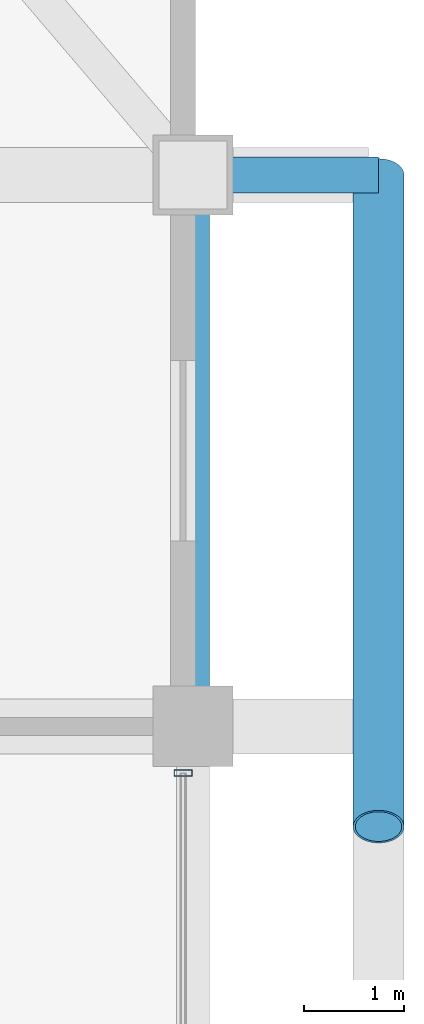
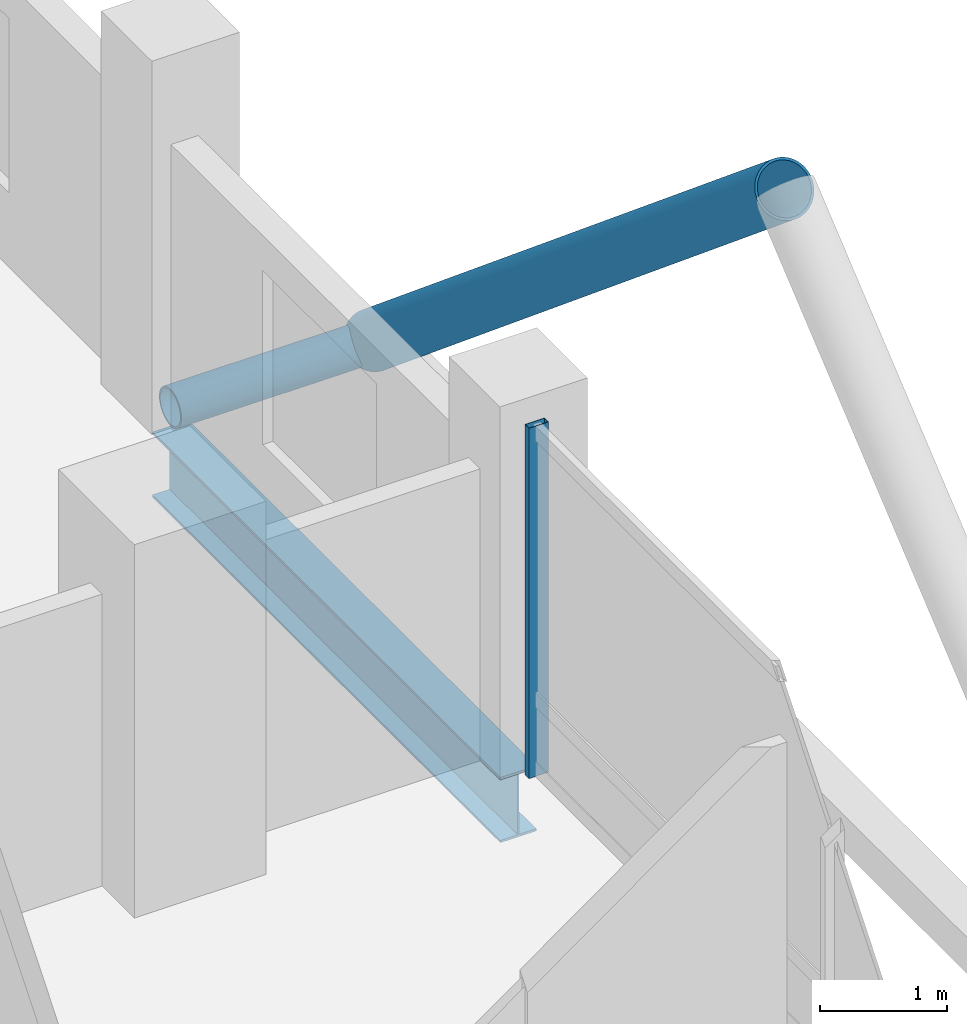
# One storey, part 12 of 21: 3 members, 1 beam, 1 element without a shape of its own.
"""IFC4 building model written with IfcOpenShell, lengths in metres."""

import ifcopenshell
import ifcopenshell.guid

model = None  # the IFC model being written
_history = None  # IfcOwnerHistory: only IFC2X3 demands one
_inside = {}  # id of a spatial element -> (the spatial element, [elements in it])
_under = {}  # id of a project, library or spatial element -> (it, [spatial elements below it])
_declared = {}  # id of a project -> (the project, [libraries it declares])
_typed = {}  # id of a type object -> (the type object, [elements of that type])
_made_of = {}  # id of a material, layer set ... -> (it, [elements and type objects made of it])


def new_model(schema):
    """Start an empty IFC model of exactly this schema.

    Asked for "IFC4X3", IfcOpenShell would pick the latest addendum, in which some entities
    have other attributes; the version numbers below select the first issue.
    IFC2X3 requires an IfcOwnerHistory on every rooted entity: one is made here for all.
    """
    global model, _history
    if schema == "IFC4X3":
        model = ifcopenshell.file(schema_version=(4, 3, 0, 0))
    else:
        model = ifcopenshell.file(schema=schema)
    _inside.clear()
    _under.clear()
    _declared.clear()
    _typed.clear()
    _made_of.clear()
    _history = None
    if model.schema == "IFC2X3":
        org = make("IfcOrganization", Name="unknown")
        user = make(
            "IfcPersonAndOrganization",
            ThePerson=make("IfcPerson", FamilyName="unknown"),
            TheOrganization=org,
        )
        app = make(
            "IfcApplication",
            ApplicationDeveloper=org,
            Version="unknown",
            ApplicationFullName="unknown",
            ApplicationIdentifier="unknown",
        )
        _history = make(
            "IfcOwnerHistory",
            OwningUser=user,
            OwningApplication=app,
            ChangeAction="ADDED",
            CreationDate=0,
        )
    return model


def make(cls, **values):
    """One entity of the class cls with the attributes given. An attribute that is None is left unset."""
    return model.create_entity(
        cls, **{name: value for name, value in values.items() if value is not None}
    )


def rooted(cls, **values):
    """An entity with a GlobalId (a new one), such as an element, a storey or a relation."""
    return make(cls, GlobalId=ifcopenshell.guid.new(), OwnerHistory=_history, **values)


def si_unit(unit_type, name, prefix=None):
    """IfcSIUnit, for example si_unit("LENGTHUNIT", "METRE", prefix="MILLI")."""
    return make("IfcSIUnit", UnitType=unit_type, Prefix=prefix, Name=name)


def assignment(units):
    """IfcUnitAssignment: the units of a project."""
    return None if units is None else make("IfcUnitAssignment", Units=units)


def point(xyz):
    """IfcCartesianPoint."""
    return None if xyz is None else make("IfcCartesianPoint", Coordinates=xyz)


def direction(xyz):
    """IfcDirection."""
    return None if xyz is None else make("IfcDirection", DirectionRatios=xyz)


def frame(location, z_axis=None, x_axis=None):
    """IfcAxis2Placement3D, a coordinate frame: its origin and axes. An axis left out is left unset."""
    return make(
        "IfcAxis2Placement3D",
        Location=point(location),
        Axis=direction(z_axis),
        RefDirection=direction(x_axis),
    )


def frame_2d(location, x_axis=None):
    """IfcAxis2Placement2D, a coordinate frame in the plane: its origin and x axis."""
    return make(
        "IfcAxis2Placement2D", Location=point(location), RefDirection=direction(x_axis)
    )


def origin():
    """The frame at (0, 0, 0) with its axes left unset."""
    return frame((0.0, 0.0, 0.0))


def origin_2d():
    """The frame at (0, 0) in the plane with its x axis left unset."""
    return frame_2d((0.0, 0.0))


def place(relative_to, where):
    """IfcLocalPlacement: puts the frame where relative to a parent placement (None: the world)."""
    return make(
        "IfcLocalPlacement", PlacementRelTo=relative_to, RelativePlacement=where
    )


def context(
    kind, dimensions, precision=None, world=None, true_north=None, identifier=None
):
    """IfcGeometricRepresentationContext, for example the 3D "Model" context."""
    return make(
        "IfcGeometricRepresentationContext",
        ContextIdentifier=identifier,
        ContextType=kind,
        CoordinateSpaceDimension=dimensions,
        Precision=precision,
        WorldCoordinateSystem=world,
        TrueNorth=true_north,
    )


def subcontext(parent, identifier, kind, view, scale=None):
    """IfcGeometricRepresentationSubContext, for example "Body" below "Model"."""
    return make(
        "IfcGeometricRepresentationSubContext",
        ContextIdentifier=identifier,
        ContextType=kind,
        ParentContext=parent,
        TargetScale=scale,
        TargetView=view,
    )


def project(units=None, contexts=None):
    """IfcProject with its units and contexts."""
    return rooted(
        "IfcProject",
        Name="project",
        RepresentationContexts=contexts,
        UnitsInContext=assignment(units),
    )


def spatial(cls, under=None, at=None, **own):
    """A site, building, storey or space (cls), placed at a placement, below another one or the project."""
    s = rooted(cls, ObjectPlacement=at, **own)
    if under is not None:
        _under.setdefault(under.id(), (under, []))[1].append(s)
    return s


def profile(cls, at=None, kind="AREA", **sizes):
    """A parametric profile (cls). Its sizes go by their IFC names, for example OverallWidth=200.0."""
    return make(cls, ProfileType=kind, Position=at, **sizes)


def hollow_rectangle(**sizes):
    """IfcRectangleHollowProfileDef."""
    return profile("IfcRectangleHollowProfileDef", **sizes)


def hollow_circle(**sizes):
    """IfcCircleHollowProfileDef."""
    return profile("IfcCircleHollowProfileDef", **sizes)


def i_section(**sizes):
    """IfcIShapeProfileDef."""
    return profile("IfcIShapeProfileDef", **sizes)


def extrude(swept, where, along, depth):
    """IfcExtrudedAreaSolid: the profile swept, set in the frame where, extruded along a direction by depth."""
    return make(
        "IfcExtrudedAreaSolid",
        SweptArea=swept,
        Position=where,
        ExtrudedDirection=direction(along),
        Depth=depth,
    )


def shape(context_of_items, identifier, shape_type, items):
    """IfcShapeRepresentation: the items that make up one representation, for example the "Body"."""
    return make(
        "IfcShapeRepresentation",
        ContextOfItems=context_of_items,
        RepresentationIdentifier=identifier,
        RepresentationType=shape_type,
        Items=items,
    )


def material(Name=None, Category=None):
    """IfcMaterial."""
    return make("IfcMaterial", Name=Name, Category=Category)


def layer(
    of_material, thickness, ventilated=None, Name=None, Category=None, Priority=None
):
    """IfcMaterialLayer: one layer of a wall or slab, of a material (None: an air gap)."""
    return make(
        "IfcMaterialLayer",
        Material=of_material,
        LayerThickness=thickness,
        IsVentilated=ventilated,
        Name=Name,
        Category=Category,
        Priority=Priority,
    )


def layer_set(layers, Name=None):
    """IfcMaterialLayerSet."""
    return make("IfcMaterialLayerSet", MaterialLayers=layers, LayerSetName=Name)


def material_profile(
    of_material, cross_section, Name=None, Category=None, Priority=None
):
    """IfcMaterialProfile: a cross section and its material."""
    return make(
        "IfcMaterialProfile",
        Name=Name,
        Material=of_material,
        Profile=cross_section,
        Priority=Priority,
        Category=Category,
    )


def profile_set(profiles, Name=None, composite=None):
    """IfcMaterialProfileSet."""
    return make(
        "IfcMaterialProfileSet",
        Name=Name,
        MaterialProfiles=profiles,
        CompositeProfile=composite,
    )


def made_of(thing, what):
    """Note that an element or type object is made of a material, layer set ...; save() writes the relation."""
    if what is not None:
        _made_of.setdefault(what.id(), (what, []))[1].append(thing)
    return thing


def type_object(cls, material=None, **own):
    """A type object (cls), such as IfcWallType, which elements share."""
    return made_of(rooted(cls, **own), material)


def element(
    cls,
    number,
    at=None,
    inside=None,
    cuts=None,
    type_object=None,
    material=None,
    context=None,
    identifier="Body",
    shape_type=None,
    held_by="IfcProductDefinitionShape",
    body=None,
    shapes=None,
    **own,
):
    """One element of the class cls, such as IfcWall. Its Tag is "e" and its number.

    at: its placement. inside: the storey or other place that contains it. cuts: it is an
    opening in that element (IfcRelVoidsElement). A single representation is given by context,
    identifier, shape_type and body (its items); several are given by shapes. held_by: the class
    of the entity that holds the representations. save() writes the other relations.
    """
    e = rooted(cls, Tag="e%d" % number, ObjectPlacement=at, **own)
    if body is not None:
        shapes = [shape(context, identifier, shape_type, body)]
    if shapes is not None:
        e.Representation = make(held_by, Representations=shapes)
    if inside is not None:
        _inside.setdefault(inside.id(), (inside, []))[1].append(e)
    if cuts is not None:
        rooted(
            "IfcRelVoidsElement", RelatingBuildingElement=cuts, RelatedOpeningElement=e
        )
    if type_object is not None:
        _typed.setdefault(type_object.id(), (type_object, []))[1].append(e)
    return made_of(e, material)


def aggregate(whole, parts):
    """IfcRelAggregates: a whole, such as a stair, and the parts it consists of."""
    return rooted("IfcRelAggregates", RelatingObject=whole, RelatedObjects=parts)


def save(model, path):
    """Write the relations noted so far, then the file.

    IfcRelAggregates (storeys below a building ...), IfcRelContainedInSpatialStructure (elements
    in a storey), IfcRelDefinesByType, IfcRelAssociatesMaterial and IfcRelDeclares: one each for
    every whole, place, type object, material and project.
    """
    for whole, parts in _under.values():
        aggregate(whole, parts)
    for where, things in _inside.values():
        rooted(
            "IfcRelContainedInSpatialStructure",
            RelatedElements=things,
            RelatingStructure=where,
        )
    for kind, things in _typed.values():
        rooted("IfcRelDefinesByType", RelatedObjects=things, RelatingType=kind)
    for what, things in _made_of.values():
        rooted("IfcRelAssociatesMaterial", RelatedObjects=things, RelatingMaterial=what)
    for by, libraries in _declared.values():
        rooted("IfcRelDeclares", RelatingContext=by, RelatedDefinitions=libraries)
    model.write(path)


model = new_model("IFC4")

# Units and contexts
model_context = context("Model", 3, precision=1e-05, world=origin(), true_north=direction((0.0, 1.0)))
body_context = subcontext(model_context, "Body", "Model", "MODEL_VIEW")
ifc_project = project(units=[si_unit("LENGTHUNIT", "METRE"), si_unit("AREAUNIT", "SQUARE_METRE"), si_unit("VOLUMEUNIT", "CUBIC_METRE"), si_unit("PLANEANGLEUNIT", "RADIAN"), si_unit("MASSUNIT", "GRAM", prefix="KILO")], contexts=[model_context])

# Site, building, storey
site_placement = place(None, origin())
site = spatial("IfcSite", under=ifc_project, at=site_placement, CompositionType="ELEMENT")
building_placement = place(site_placement, origin())
building = spatial("IfcBuilding", under=site, at=building_placement, Name="Barlavira Tower and Art Museum", CompositionType="ELEMENT")
storey_placement = place(building_placement, frame((0.0, 0.0, 99.0)))
storey = spatial("IfcBuildingStorey", under=building, at=storey_placement, Name="L24", CompositionType="ELEMENT", Elevation=99.0)

# Curtain wall, member
ifc_material_1 = material(Name="Low-iron coastal laminated glass", Category="glass")
ifc_layer = layer(ifc_material_1, 0.18994140625, Name="Low-iron coastal laminated glass")
ifc_layer_set = layer_set([ifc_layer], Name="Low-iron coastal laminated glass")
curtain_wall_type = type_object("IfcCurtainWallType", Name="Pale-Metal Unitised Curtain Wall Zone 2", PredefinedType="NOTDEFINED", material=ifc_layer_set)
curtain_wall_placement = place(storey_placement, origin())
curtain_wall = element("IfcCurtainWall", 1, at=curtain_wall_placement, inside=storey, type_object=curtain_wall_type, Name="L24 Curtain Wall CW2-L24-E-B3", PredefinedType="NOTDEFINED")
ifc_material_2 = material(Name="Pale anodised aluminium", Category="aluminium")
ifc_material_profile_1 = material_profile(ifc_material_2, hollow_rectangle(XDim=0.06494140625, YDim=0.179931640625, WallThickness=0.00390625, at=origin_2d()), Name="ALU-MULL 65x180x4")
ifc_profile_set_1 = profile_set([ifc_material_profile_1], Name="Pale anodised aluminium")
member_type_1 = type_object("IfcMemberType", Name="Curtain Wall Pale-Metal Mullion 65x180", PredefinedType="MULLION", material=ifc_profile_set_1)
member_1_placement = place(storey_placement, frame((20.14990234375, 7.034912109375, 0.0), z_axis=(0.0, 0.0, 1.0), x_axis=(0.0, 1.0, 0.0)))
member_1 = element("IfcMember", 2, at=member_1_placement, type_object=member_type_1, Name="CW2-L24-E-B3 Mullion 3", PredefinedType="MULLION", context=body_context, shape_type="SweptSolid", body=[
    extrude(hollow_rectangle(XDim=0.06494140625, YDim=0.179931640625, WallThickness=0.00390625, at=origin_2d()), origin(), (0.0, 0.0, 1.0), 3.3798828125),
])
aggregate(curtain_wall, [member_1])

# Members
ifc_material_3 = material(Name="Steel S355", Category="steel")
ifc_material_profile_2 = material_profile(ifc_material_3, hollow_circle(Radius=0.25390625, WallThickness=0.022216796875, at=origin_2d()), Name="CHS 508.0x22.2")
ifc_profile_set_2 = profile_set([ifc_material_profile_2], Name="Steel S355")
member_type_2 = type_object("IfcMemberType", Name="Pale-Metal Exoskeleton Diagrid Tube CHS 508x22 Steel S355", PredefinedType="BRACE", material=ifc_profile_set_2)
member_2_placement = place(storey_placement, frame((22.10009765625, 13.0, -0.1201171875), z_axis=(0.0, -0.76918185268, 0.639029950399), x_axis=(1.0, 0.0, 0.0)))
element("IfcMember", 3, at=member_2_placement, inside=storey, type_object=member_type_2, Name="L24 Exoskeleton Diagrid Tube E", PredefinedType="BRACE", context=body_context, shape_type="SweptSolid", body=[
    extrude(hollow_circle(Radius=0.25390625, WallThickness=0.022216796875, at=origin_2d()), origin(), (0.0, 0.0, 1.0), 8.450439453125),
])
ifc_material_profile_3 = material_profile(ifc_material_3, hollow_circle(Radius=0.177734375, WallThickness=0.01611328125, at=origin_2d()), Name="CHS 355.6x16.0")
ifc_profile_set_3 = profile_set([ifc_material_profile_3], Name="Steel S355")
member_type_3 = type_object("IfcMemberType", Name="Pale-Metal Exoskeleton Tie Strut CHS 356x16 Steel S355", PredefinedType="STRUT", material=ifc_profile_set_3)
member_3_placement = place(storey_placement, frame((22.10009765625, 13.0, -0.1201171875), z_axis=(-1.0, 0.0, 0.0), x_axis=(0.0, -1.0, 0.0)))
element("IfcMember", 4, at=member_3_placement, inside=storey, type_object=member_type_3, Name="L24 Exoskeleton Tie Strut E3", PredefinedType="STRUT", context=body_context, shape_type="SweptSolid", body=[
    extrude(hollow_circle(Radius=0.177734375, WallThickness=0.01611328125, at=origin_2d()), origin(), (0.0, 0.0, 1.0), 1.85009765625),
])

# Beam
ifc_material_profile_4 = material_profile(ifc_material_3, i_section(OverallWidth=0.327880859375, OverallDepth=0.62890625, WebThickness=0.013916015625, FlangeThickness=0.021484375, at=origin_2d()), Name="W610x174.0")
ifc_profile_set_4 = profile_set([ifc_material_profile_4], Name="Steel S355")
beam_type = type_object("IfcBeamType", Name="Perimeter Spandrel Edge Beam W610x174 Steel S355", PredefinedType="SPANDREL", material=ifc_profile_set_4)
beam_placement = place(storey_placement, frame((20.25, 7.5, -0.614501953125), z_axis=(0.0, 1.0, 0.0), x_axis=(-1.0, 0.0, 0.0)))
element("IfcBeam", 5, at=beam_placement, inside=storey, type_object=beam_type, Name="L24 Spandrel 7", PredefinedType="SPANDREL", context=body_context, shape_type="SweptSolid", body=[
    extrude(i_section(OverallWidth=0.327880859375, OverallDepth=0.62890625, WebThickness=0.013916015625, FlangeThickness=0.021484375, at=origin_2d()), origin(), (0.0, 0.0, 1.0), 5.5),
])

save(model, "model.ifc")
